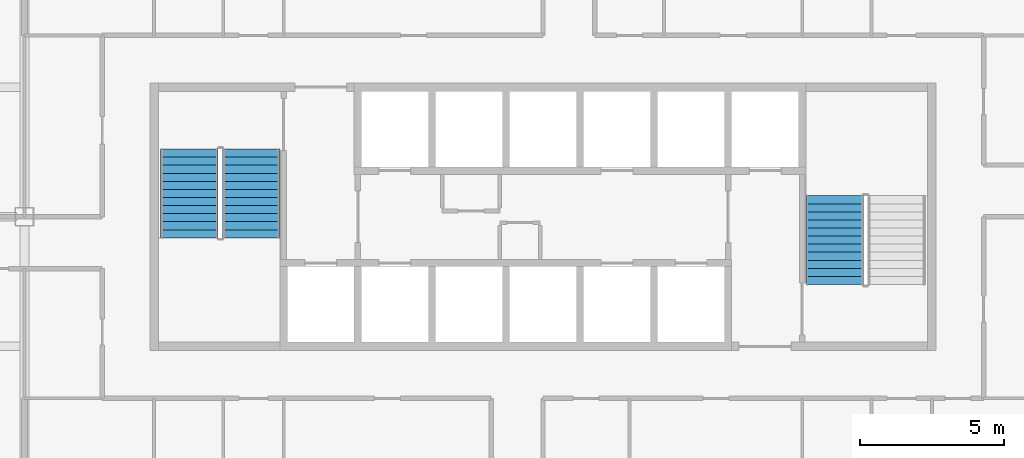
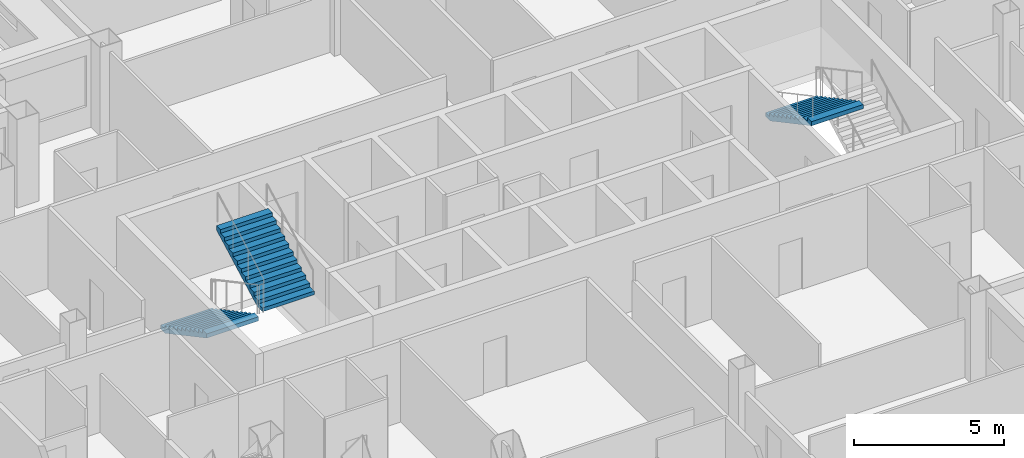
# One storey, part 12 of 16: 3 stair flights, 2 elements without a shape of their own.
"""IFC4 building model written with IfcOpenShell, lengths in metres."""

from ifc_helpers import new_model, si_unit, direction, frame, origin, place, context, subcontext, project, spatial, polygons, material, type_object, element, aggregate, save


model = new_model("IFC4")

# Units and contexts
model_context = context("Model", 3, precision=1e-05, world=origin(), true_north=direction((0.0, 1.0)))
body_context = subcontext(model_context, "Body", "Model", "MODEL_VIEW")
ifc_project = project(units=[si_unit("LENGTHUNIT", "METRE"), si_unit("AREAUNIT", "SQUARE_METRE"), si_unit("VOLUMEUNIT", "CUBIC_METRE"), si_unit("PLANEANGLEUNIT", "RADIAN"), si_unit("MASSUNIT", "GRAM", prefix="KILO")], contexts=[model_context])

# Site, building, storey
site_placement = place(None, origin())
site = spatial("IfcSite", under=ifc_project, at=site_placement, CompositionType="ELEMENT")
building_placement = place(site_placement, origin())
building = spatial("IfcBuilding", under=site, at=building_placement, Name="Caravel Reach Hotel and Residences", CompositionType="ELEMENT")
storey_placement = place(building_placement, frame((0.0, 0.0, 133.199951171875)))
storey = spatial("IfcBuildingStorey", under=building, at=storey_placement, Name="L33", CompositionType="ELEMENT", Elevation=133.199951171875)

# Stair, stair flights
ifc_material_1 = material(Name="Concrete C40", Category="concrete")
stair_type = type_object("IfcStairType", Name="Core stair", PredefinedType="HALF_TURN_STAIR", material=ifc_material_1)
stair_1_placement = place(storey_placement, origin())
stair_1 = element("IfcStair", 1, at=stair_1_placement, inside=storey, type_object=stair_type, Name="L33 Exit stair A", PredefinedType="HALF_TURN_STAIR")
ifc_material_2 = material(Name="Concrete C40", Category="concrete")
stair_flight_type = type_object("IfcStairFlightType", Name="Core stair flight", PredefinedType="STRAIGHT", material=ifc_material_2)
stair_flight_1_placement = place(storey_placement, frame((19.22509765625, 29.35009765625, 0.0), z_axis=(0.0, 0.0, 1.0), x_axis=(0.0, -1.0, 0.0)))
stair_flight_1 = element("IfcStairFlight", 2, at=stair_flight_1_placement, type_object=stair_flight_type, Name="ST-A flight 1", NumberOfRisers=12, NumberOfTreads=11, PredefinedType="STRAIGHT", RiserHeight=0.15, TreadLength=0.28, context=body_context, shape_type="Tessellation", body=[
    polygons([(0.3174408016601862, 1.0, 0.0), (0.3174408016601862, 0.6666666666666667, 0.0), (0.3174408016601862, 0.33333333333333337, 0.0), (0.3174408016601862, 0.0, 0.0), (0.3174408016601862, -0.33333333333333326, 0.0), (0.3174408016601862, -0.6666666666666667, 0.0), (0.3174408016601862, -1.0, 0.0), (3.081, 1.0, 1.479942427682043), (3.081, 0.6666666666666667, 1.479942427682043), (3.081, 0.33333333333333337, 1.479942427682043), (3.081, 0.0, 1.479942427682043), (3.081, -0.33333333333333326, 1.479942427682043), (3.081, -0.6666666666666667, 1.479942427682043), (3.081, -1.0, 1.479942427682043), (3.081, 1.0, 1.65), (3.081, 0.6666666666666667, 1.65), (3.081, 0.33333333333333337, 1.65), (3.081, 0.0, 1.65), (3.081, -0.33333333333333326, 1.65), (3.081, -0.6666666666666667, 1.65), (3.081, -1.0, 1.65), (2.8000000000000003, 1.0, 1.65), (2.8000000000000003, 0.6666666666666667, 1.65), (2.8000000000000003, 0.33333333333333337, 1.65), (2.8000000000000003, 0.0, 1.65), (2.8000000000000003, -0.33333333333333326, 1.65), (2.8000000000000003, -0.6666666666666667, 1.65), (2.8000000000000003, -1.0, 1.65), (2.8000000000000003, 1.0, 1.5), (2.8000000000000003, 0.6666666666666667, 1.5), (2.8000000000000003, 0.33333333333333337, 1.5), (2.8000000000000003, 0.0, 1.5), (2.8000000000000003, -0.33333333333333326, 1.5), (2.8000000000000003, -0.6666666666666667, 1.5), (2.8000000000000003, -1.0, 1.5), (2.5200000000000005, 1.0, 1.5), (2.5200000000000005, 0.6666666666666667, 1.5), (2.5200000000000005, 0.33333333333333337, 1.5), (2.5200000000000005, 0.0, 1.5), (2.5200000000000005, -0.33333333333333326, 1.5), (2.5200000000000005, -0.6666666666666667, 1.5), (2.5200000000000005, -1.0, 1.5), (2.5200000000000005, 1.0, 1.3499999999999999), (2.5200000000000005, 0.6666666666666667, 1.3499999999999999), (2.5200000000000005, 0.33333333333333337, 1.3499999999999999), (2.5200000000000005, 0.0, 1.3499999999999999), (2.5200000000000005, -0.33333333333333326, 1.3499999999999999), (2.5200000000000005, -0.6666666666666667, 1.3499999999999999), (2.5200000000000005, -1.0, 1.3499999999999999), (2.24, 1.0, 1.3499999999999999), (2.24, 0.6666666666666667, 1.3499999999999999), (2.24, 0.33333333333333337, 1.3499999999999999), (2.24, 0.0, 1.3499999999999999), (2.24, -0.33333333333333326, 1.3499999999999999), (2.24, -0.6666666666666667, 1.3499999999999999), (2.24, -1.0, 1.3499999999999999), (2.24, 1.0, 1.2), (2.24, 0.6666666666666667, 1.2), (2.24, 0.33333333333333337, 1.2), (2.24, 0.0, 1.2), (2.24, -0.33333333333333326, 1.2), (2.24, -0.6666666666666667, 1.2), (2.24, -1.0, 1.2), (1.9600000000000002, 1.0, 1.2), (1.9600000000000002, 0.6666666666666667, 1.2), (1.9600000000000002, 0.33333333333333337, 1.2), (1.9600000000000002, 0.0, 1.2), (1.9600000000000002, -0.33333333333333326, 1.2), (1.9600000000000002, -0.6666666666666667, 1.2), (1.9600000000000002, -1.0, 1.2), (1.9600000000000002, 1.0, 1.05), (1.9600000000000002, 0.6666666666666667, 1.05), (1.9600000000000002, 0.33333333333333337, 1.05), (1.9600000000000002, 0.0, 1.05), (1.9600000000000002, -0.33333333333333326, 1.05), (1.9600000000000002, -0.6666666666666667, 1.05), (1.9600000000000002, -1.0, 1.05), (1.6800000000000002, 1.0, 1.05), (1.6800000000000002, 0.6666666666666667, 1.05), (1.6800000000000002, 0.33333333333333337, 1.05), (1.6800000000000002, 0.0, 1.05), (1.6800000000000002, -0.33333333333333326, 1.05), (1.6800000000000002, -0.6666666666666667, 1.05), (1.6800000000000002, -1.0, 1.05), (1.6800000000000002, 1.0, 0.8999999999999999), (1.6800000000000002, 0.6666666666666667, 0.8999999999999999), (1.6800000000000002, 0.33333333333333337, 0.8999999999999999), (1.6800000000000002, 0.0, 0.8999999999999999), (1.6800000000000002, -0.33333333333333326, 0.8999999999999999), (1.6800000000000002, -0.6666666666666667, 0.8999999999999999), (1.6800000000000002, -1.0, 0.8999999999999999), (1.4000000000000001, 1.0, 0.8999999999999999), (1.4000000000000001, 0.6666666666666667, 0.8999999999999999), (1.4000000000000001, 0.33333333333333337, 0.8999999999999999), (1.4000000000000001, 0.0, 0.8999999999999999), (1.4000000000000001, -0.33333333333333326, 0.8999999999999999), (1.4000000000000001, -0.6666666666666667, 0.8999999999999999), (1.4000000000000001, -1.0, 0.8999999999999999), (1.4000000000000001, 1.0, 0.75), (1.4000000000000001, 0.6666666666666667, 0.75), (1.4000000000000001, 0.33333333333333337, 0.75), (1.4000000000000001, 0.0, 0.75), (1.4000000000000001, -0.33333333333333326, 0.75), (1.4000000000000001, -0.6666666666666667, 0.75), (1.4000000000000001, -1.0, 0.75), (1.12, 1.0, 0.75), (1.12, 0.6666666666666667, 0.75), (1.12, 0.33333333333333337, 0.75), (1.12, 0.0, 0.75), (1.12, -0.33333333333333326, 0.75), (1.12, -0.6666666666666667, 0.75), (1.12, -1.0, 0.75), (1.12, 1.0, 0.6), (1.12, 0.6666666666666667, 0.6), (1.12, 0.33333333333333337, 0.6), (1.12, 0.0, 0.6), (1.12, -0.33333333333333326, 0.6), (1.12, -0.6666666666666667, 0.6), (1.12, -1.0, 0.6), (0.8400000000000001, 1.0, 0.6), (0.8400000000000001, 0.6666666666666667, 0.6), (0.8400000000000001, 0.33333333333333337, 0.6), (0.8400000000000001, 0.0, 0.6), (0.8400000000000001, -0.33333333333333326, 0.6), (0.8400000000000001, -0.6666666666666667, 0.6), (0.8400000000000001, -1.0, 0.6), (0.8400000000000001, 1.0, 0.44999999999999996), (0.8400000000000001, 0.6666666666666667, 0.44999999999999996), (0.8400000000000001, 0.33333333333333337, 0.44999999999999996), (0.8400000000000001, 0.0, 0.44999999999999996), (0.8400000000000001, -0.33333333333333326, 0.44999999999999996), (0.8400000000000001, -0.6666666666666667, 0.44999999999999996), (0.8400000000000001, -1.0, 0.44999999999999996), (0.56, 1.0, 0.44999999999999996), (0.56, 0.6666666666666667, 0.44999999999999996), (0.56, 0.33333333333333337, 0.44999999999999996), (0.56, 0.0, 0.44999999999999996), (0.56, -0.33333333333333326, 0.44999999999999996), (0.56, -0.6666666666666667, 0.44999999999999996), (0.56, -1.0, 0.44999999999999996), (0.56, 1.0, 0.3), (0.56, 0.6666666666666667, 0.3), (0.56, 0.33333333333333337, 0.3), (0.56, 0.0, 0.3), (0.56, -0.33333333333333326, 0.3), (0.56, -0.6666666666666667, 0.3), (0.56, -1.0, 0.3), (0.28, 1.0, 0.3), (0.28, 0.6666666666666667, 0.3), (0.28, 0.33333333333333337, 0.3), (0.28, 0.0, 0.3), (0.28, -0.33333333333333326, 0.3), (0.28, -0.6666666666666667, 0.3), (0.28, -1.0, 0.3), (0.28, 1.0, 0.15), (0.28, 0.6666666666666667, 0.15), (0.28, 0.33333333333333337, 0.15), (0.28, 0.0, 0.15), (0.28, -0.33333333333333326, 0.15), (0.28, -0.6666666666666667, 0.15), (0.28, -1.0, 0.15), (-0.001, 1.0, 0.15), (-0.001, 0.6666666666666667, 0.15), (-0.001, 0.33333333333333337, 0.15), (-0.001, 0.0, 0.15), (-0.001, -0.33333333333333326, 0.15), (-0.001, -0.6666666666666667, 0.15), (-0.001, -1.0, 0.15), (-0.001, 1.0, 0.0), (-0.001, 0.6666666666666667, 0.0), (-0.001, 0.33333333333333337, 0.0), (-0.001, 0.0, 0.0), (-0.001, -0.33333333333333326, 0.0), (-0.001, -0.6666666666666667, 0.0), (-0.001, -1.0, 0.0)], [[[169, 162, 155, 148, 141, 134, 127, 120, 113, 106, 99, 92, 85, 78, 71, 64, 57, 50, 43, 36, 29, 22, 15, 8, 1]], [[7, 14, 21, 28, 35, 42, 49, 56, 63, 70, 77, 84, 91, 98, 105, 112, 119, 126, 133, 140, 147, 154, 161, 168, 175]], [[1, 8, 9, 2]], [[2, 9, 10, 3]], [[3, 10, 11, 4]], [[4, 11, 12, 5]], [[5, 12, 13, 6]], [[6, 13, 14, 7]], [[8, 15, 16, 9]], [[9, 16, 17, 10]], [[10, 17, 18, 11]], [[11, 18, 19, 12]], [[12, 19, 20, 13]], [[13, 20, 21, 14]], [[15, 22, 23, 16]], [[16, 23, 24, 17]], [[17, 24, 25, 18]], [[18, 25, 26, 19]], [[19, 26, 27, 20]], [[20, 27, 28, 21]], [[22, 29, 30, 23]], [[23, 30, 31, 24]], [[24, 31, 32, 25]], [[25, 32, 33, 26]], [[26, 33, 34, 27]], [[27, 34, 35, 28]], [[29, 36, 37, 30]], [[30, 37, 38, 31]], [[31, 38, 39, 32]], [[32, 39, 40, 33]], [[33, 40, 41, 34]], [[34, 41, 42, 35]], [[36, 43, 44, 37]], [[37, 44, 45, 38]], [[38, 45, 46, 39]], [[39, 46, 47, 40]], [[40, 47, 48, 41]], [[41, 48, 49, 42]], [[43, 50, 51, 44]], [[44, 51, 52, 45]], [[45, 52, 53, 46]], [[46, 53, 54, 47]], [[47, 54, 55, 48]], [[48, 55, 56, 49]], [[50, 57, 58, 51]], [[51, 58, 59, 52]], [[52, 59, 60, 53]], [[53, 60, 61, 54]], [[54, 61, 62, 55]], [[55, 62, 63, 56]], [[57, 64, 65, 58]], [[58, 65, 66, 59]], [[59, 66, 67, 60]], [[60, 67, 68, 61]], [[61, 68, 69, 62]], [[62, 69, 70, 63]], [[64, 71, 72, 65]], [[65, 72, 73, 66]], [[66, 73, 74, 67]], [[67, 74, 75, 68]], [[68, 75, 76, 69]], [[69, 76, 77, 70]], [[71, 78, 79, 72]], [[72, 79, 80, 73]], [[73, 80, 81, 74]], [[74, 81, 82, 75]], [[75, 82, 83, 76]], [[76, 83, 84, 77]], [[78, 85, 86, 79]], [[79, 86, 87, 80]], [[80, 87, 88, 81]], [[81, 88, 89, 82]], [[82, 89, 90, 83]], [[83, 90, 91, 84]], [[85, 92, 93, 86]], [[86, 93, 94, 87]], [[87, 94, 95, 88]], [[88, 95, 96, 89]], [[89, 96, 97, 90]], [[90, 97, 98, 91]], [[92, 99, 100, 93]], [[93, 100, 101, 94]], [[94, 101, 102, 95]], [[95, 102, 103, 96]], [[96, 103, 104, 97]], [[97, 104, 105, 98]], [[99, 106, 107, 100]], [[100, 107, 108, 101]], [[101, 108, 109, 102]], [[102, 109, 110, 103]], [[103, 110, 111, 104]], [[104, 111, 112, 105]], [[106, 113, 114, 107]], [[107, 114, 115, 108]], [[108, 115, 116, 109]], [[109, 116, 117, 110]], [[110, 117, 118, 111]], [[111, 118, 119, 112]], [[113, 120, 121, 114]], [[114, 121, 122, 115]], [[115, 122, 123, 116]], [[116, 123, 124, 117]], [[117, 124, 125, 118]], [[118, 125, 126, 119]], [[120, 127, 128, 121]], [[121, 128, 129, 122]], [[122, 129, 130, 123]], [[123, 130, 131, 124]], [[124, 131, 132, 125]], [[125, 132, 133, 126]], [[127, 134, 135, 128]], [[128, 135, 136, 129]], [[129, 136, 137, 130]], [[130, 137, 138, 131]], [[131, 138, 139, 132]], [[132, 139, 140, 133]], [[134, 141, 142, 135]], [[135, 142, 143, 136]], [[136, 143, 144, 137]], [[137, 144, 145, 138]], [[138, 145, 146, 139]], [[139, 146, 147, 140]], [[141, 148, 149, 142]], [[142, 149, 150, 143]], [[143, 150, 151, 144]], [[144, 151, 152, 145]], [[145, 152, 153, 146]], [[146, 153, 154, 147]], [[148, 155, 156, 149]], [[149, 156, 157, 150]], [[150, 157, 158, 151]], [[151, 158, 159, 152]], [[152, 159, 160, 153]], [[153, 160, 161, 154]], [[155, 162, 163, 156]], [[156, 163, 164, 157]], [[157, 164, 165, 158]], [[158, 165, 166, 159]], [[159, 166, 167, 160]], [[160, 167, 168, 161]], [[162, 169, 170, 163]], [[163, 170, 171, 164]], [[164, 171, 172, 165]], [[165, 172, 173, 166]], [[166, 173, 174, 167]], [[167, 174, 175, 168]], [[169, 1, 2, 170]], [[170, 2, 3, 171]], [[171, 3, 4, 172]], [[172, 4, 5, 173]], [[173, 5, 6, 174]], [[174, 6, 7, 175]]], closed=True),
])
stair_flight_2_placement = place(storey_placement, frame((21.375, 26.27001953125, 1.800048828125), z_axis=(0.0, 0.0, 1.0), x_axis=(0.0, 1.0, 0.0)))
stair_flight_2 = element("IfcStairFlight", 3, at=stair_flight_2_placement, type_object=stair_flight_type, Name="ST-A flight 2", NumberOfRisers=12, NumberOfTreads=11, PredefinedType="STRAIGHT", RiserHeight=0.15, TreadLength=0.28, context=body_context, shape_type="Tessellation", body=[
    polygons([(0.3174408016601862, 1.0, 0.0), (0.3174408016601862, 0.6666666666666667, 0.0), (0.3174408016601862, 0.33333333333333337, 0.0), (0.3174408016601862, 0.0, 0.0), (0.3174408016601862, -0.33333333333333326, 0.0), (0.3174408016601862, -0.6666666666666667, 0.0), (0.3174408016601862, -1.0, 0.0), (3.081, 1.0, 1.479942427682043), (3.081, 0.6666666666666667, 1.479942427682043), (3.081, 0.33333333333333337, 1.479942427682043), (3.081, 0.0, 1.479942427682043), (3.081, -0.33333333333333326, 1.479942427682043), (3.081, -0.6666666666666667, 1.479942427682043), (3.081, -1.0, 1.479942427682043), (3.081, 1.0, 1.65), (3.081, 0.6666666666666667, 1.65), (3.081, 0.33333333333333337, 1.65), (3.081, 0.0, 1.65), (3.081, -0.33333333333333326, 1.65), (3.081, -0.6666666666666667, 1.65), (3.081, -1.0, 1.65), (2.8000000000000003, 1.0, 1.65), (2.8000000000000003, 0.6666666666666667, 1.65), (2.8000000000000003, 0.33333333333333337, 1.65), (2.8000000000000003, 0.0, 1.65), (2.8000000000000003, -0.33333333333333326, 1.65), (2.8000000000000003, -0.6666666666666667, 1.65), (2.8000000000000003, -1.0, 1.65), (2.8000000000000003, 1.0, 1.5), (2.8000000000000003, 0.6666666666666667, 1.5), (2.8000000000000003, 0.33333333333333337, 1.5), (2.8000000000000003, 0.0, 1.5), (2.8000000000000003, -0.33333333333333326, 1.5), (2.8000000000000003, -0.6666666666666667, 1.5), (2.8000000000000003, -1.0, 1.5), (2.5200000000000005, 1.0, 1.5), (2.5200000000000005, 0.6666666666666667, 1.5), (2.5200000000000005, 0.33333333333333337, 1.5), (2.5200000000000005, 0.0, 1.5), (2.5200000000000005, -0.33333333333333326, 1.5), (2.5200000000000005, -0.6666666666666667, 1.5), (2.5200000000000005, -1.0, 1.5), (2.5200000000000005, 1.0, 1.3499999999999999), (2.5200000000000005, 0.6666666666666667, 1.3499999999999999), (2.5200000000000005, 0.33333333333333337, 1.3499999999999999), (2.5200000000000005, 0.0, 1.3499999999999999), (2.5200000000000005, -0.33333333333333326, 1.3499999999999999), (2.5200000000000005, -0.6666666666666667, 1.3499999999999999), (2.5200000000000005, -1.0, 1.3499999999999999), (2.24, 1.0, 1.3499999999999999), (2.24, 0.6666666666666667, 1.3499999999999999), (2.24, 0.33333333333333337, 1.3499999999999999), (2.24, 0.0, 1.3499999999999999), (2.24, -0.33333333333333326, 1.3499999999999999), (2.24, -0.6666666666666667, 1.3499999999999999), (2.24, -1.0, 1.3499999999999999), (2.24, 1.0, 1.2), (2.24, 0.6666666666666667, 1.2), (2.24, 0.33333333333333337, 1.2), (2.24, 0.0, 1.2), (2.24, -0.33333333333333326, 1.2), (2.24, -0.6666666666666667, 1.2), (2.24, -1.0, 1.2), (1.9600000000000002, 1.0, 1.2), (1.9600000000000002, 0.6666666666666667, 1.2), (1.9600000000000002, 0.33333333333333337, 1.2), (1.9600000000000002, 0.0, 1.2), (1.9600000000000002, -0.33333333333333326, 1.2), (1.9600000000000002, -0.6666666666666667, 1.2), (1.9600000000000002, -1.0, 1.2), (1.9600000000000002, 1.0, 1.05), (1.9600000000000002, 0.6666666666666667, 1.05), (1.9600000000000002, 0.33333333333333337, 1.05), (1.9600000000000002, 0.0, 1.05), (1.9600000000000002, -0.33333333333333326, 1.05), (1.9600000000000002, -0.6666666666666667, 1.05), (1.9600000000000002, -1.0, 1.05), (1.6800000000000002, 1.0, 1.05), (1.6800000000000002, 0.6666666666666667, 1.05), (1.6800000000000002, 0.33333333333333337, 1.05), (1.6800000000000002, 0.0, 1.05), (1.6800000000000002, -0.33333333333333326, 1.05), (1.6800000000000002, -0.6666666666666667, 1.05), (1.6800000000000002, -1.0, 1.05), (1.6800000000000002, 1.0, 0.8999999999999999), (1.6800000000000002, 0.6666666666666667, 0.8999999999999999), (1.6800000000000002, 0.33333333333333337, 0.8999999999999999), (1.6800000000000002, 0.0, 0.8999999999999999), (1.6800000000000002, -0.33333333333333326, 0.8999999999999999), (1.6800000000000002, -0.6666666666666667, 0.8999999999999999), (1.6800000000000002, -1.0, 0.8999999999999999), (1.4000000000000001, 1.0, 0.8999999999999999), (1.4000000000000001, 0.6666666666666667, 0.8999999999999999), (1.4000000000000001, 0.33333333333333337, 0.8999999999999999), (1.4000000000000001, 0.0, 0.8999999999999999), (1.4000000000000001, -0.33333333333333326, 0.8999999999999999), (1.4000000000000001, -0.6666666666666667, 0.8999999999999999), (1.4000000000000001, -1.0, 0.8999999999999999), (1.4000000000000001, 1.0, 0.75), (1.4000000000000001, 0.6666666666666667, 0.75), (1.4000000000000001, 0.33333333333333337, 0.75), (1.4000000000000001, 0.0, 0.75), (1.4000000000000001, -0.33333333333333326, 0.75), (1.4000000000000001, -0.6666666666666667, 0.75), (1.4000000000000001, -1.0, 0.75), (1.12, 1.0, 0.75), (1.12, 0.6666666666666667, 0.75), (1.12, 0.33333333333333337, 0.75), (1.12, 0.0, 0.75), (1.12, -0.33333333333333326, 0.75), (1.12, -0.6666666666666667, 0.75), (1.12, -1.0, 0.75), (1.12, 1.0, 0.6), (1.12, 0.6666666666666667, 0.6), (1.12, 0.33333333333333337, 0.6), (1.12, 0.0, 0.6), (1.12, -0.33333333333333326, 0.6), (1.12, -0.6666666666666667, 0.6), (1.12, -1.0, 0.6), (0.8400000000000001, 1.0, 0.6), (0.8400000000000001, 0.6666666666666667, 0.6), (0.8400000000000001, 0.33333333333333337, 0.6), (0.8400000000000001, 0.0, 0.6), (0.8400000000000001, -0.33333333333333326, 0.6), (0.8400000000000001, -0.6666666666666667, 0.6), (0.8400000000000001, -1.0, 0.6), (0.8400000000000001, 1.0, 0.44999999999999996), (0.8400000000000001, 0.6666666666666667, 0.44999999999999996), (0.8400000000000001, 0.33333333333333337, 0.44999999999999996), (0.8400000000000001, 0.0, 0.44999999999999996), (0.8400000000000001, -0.33333333333333326, 0.44999999999999996), (0.8400000000000001, -0.6666666666666667, 0.44999999999999996), (0.8400000000000001, -1.0, 0.44999999999999996), (0.56, 1.0, 0.44999999999999996), (0.56, 0.6666666666666667, 0.44999999999999996), (0.56, 0.33333333333333337, 0.44999999999999996), (0.56, 0.0, 0.44999999999999996), (0.56, -0.33333333333333326, 0.44999999999999996), (0.56, -0.6666666666666667, 0.44999999999999996), (0.56, -1.0, 0.44999999999999996), (0.56, 1.0, 0.3), (0.56, 0.6666666666666667, 0.3), (0.56, 0.33333333333333337, 0.3), (0.56, 0.0, 0.3), (0.56, -0.33333333333333326, 0.3), (0.56, -0.6666666666666667, 0.3), (0.56, -1.0, 0.3), (0.28, 1.0, 0.3), (0.28, 0.6666666666666667, 0.3), (0.28, 0.33333333333333337, 0.3), (0.28, 0.0, 0.3), (0.28, -0.33333333333333326, 0.3), (0.28, -0.6666666666666667, 0.3), (0.28, -1.0, 0.3), (0.28, 1.0, 0.15), (0.28, 0.6666666666666667, 0.15), (0.28, 0.33333333333333337, 0.15), (0.28, 0.0, 0.15), (0.28, -0.33333333333333326, 0.15), (0.28, -0.6666666666666667, 0.15), (0.28, -1.0, 0.15), (-0.001, 1.0, 0.15), (-0.001, 0.6666666666666667, 0.15), (-0.001, 0.33333333333333337, 0.15), (-0.001, 0.0, 0.15), (-0.001, -0.33333333333333326, 0.15), (-0.001, -0.6666666666666667, 0.15), (-0.001, -1.0, 0.15), (-0.001, 1.0, 0.0), (-0.001, 0.6666666666666667, 0.0), (-0.001, 0.33333333333333337, 0.0), (-0.001, 0.0, 0.0), (-0.001, -0.33333333333333326, 0.0), (-0.001, -0.6666666666666667, 0.0), (-0.001, -1.0, 0.0)], [[[169, 162, 155, 148, 141, 134, 127, 120, 113, 106, 99, 92, 85, 78, 71, 64, 57, 50, 43, 36, 29, 22, 15, 8, 1]], [[7, 14, 21, 28, 35, 42, 49, 56, 63, 70, 77, 84, 91, 98, 105, 112, 119, 126, 133, 140, 147, 154, 161, 168, 175]], [[1, 8, 9, 2]], [[2, 9, 10, 3]], [[3, 10, 11, 4]], [[4, 11, 12, 5]], [[5, 12, 13, 6]], [[6, 13, 14, 7]], [[8, 15, 16, 9]], [[9, 16, 17, 10]], [[10, 17, 18, 11]], [[11, 18, 19, 12]], [[12, 19, 20, 13]], [[13, 20, 21, 14]], [[15, 22, 23, 16]], [[16, 23, 24, 17]], [[17, 24, 25, 18]], [[18, 25, 26, 19]], [[19, 26, 27, 20]], [[20, 27, 28, 21]], [[22, 29, 30, 23]], [[23, 30, 31, 24]], [[24, 31, 32, 25]], [[25, 32, 33, 26]], [[26, 33, 34, 27]], [[27, 34, 35, 28]], [[29, 36, 37, 30]], [[30, 37, 38, 31]], [[31, 38, 39, 32]], [[32, 39, 40, 33]], [[33, 40, 41, 34]], [[34, 41, 42, 35]], [[36, 43, 44, 37]], [[37, 44, 45, 38]], [[38, 45, 46, 39]], [[39, 46, 47, 40]], [[40, 47, 48, 41]], [[41, 48, 49, 42]], [[43, 50, 51, 44]], [[44, 51, 52, 45]], [[45, 52, 53, 46]], [[46, 53, 54, 47]], [[47, 54, 55, 48]], [[48, 55, 56, 49]], [[50, 57, 58, 51]], [[51, 58, 59, 52]], [[52, 59, 60, 53]], [[53, 60, 61, 54]], [[54, 61, 62, 55]], [[55, 62, 63, 56]], [[57, 64, 65, 58]], [[58, 65, 66, 59]], [[59, 66, 67, 60]], [[60, 67, 68, 61]], [[61, 68, 69, 62]], [[62, 69, 70, 63]], [[64, 71, 72, 65]], [[65, 72, 73, 66]], [[66, 73, 74, 67]], [[67, 74, 75, 68]], [[68, 75, 76, 69]], [[69, 76, 77, 70]], [[71, 78, 79, 72]], [[72, 79, 80, 73]], [[73, 80, 81, 74]], [[74, 81, 82, 75]], [[75, 82, 83, 76]], [[76, 83, 84, 77]], [[78, 85, 86, 79]], [[79, 86, 87, 80]], [[80, 87, 88, 81]], [[81, 88, 89, 82]], [[82, 89, 90, 83]], [[83, 90, 91, 84]], [[85, 92, 93, 86]], [[86, 93, 94, 87]], [[87, 94, 95, 88]], [[88, 95, 96, 89]], [[89, 96, 97, 90]], [[90, 97, 98, 91]], [[92, 99, 100, 93]], [[93, 100, 101, 94]], [[94, 101, 102, 95]], [[95, 102, 103, 96]], [[96, 103, 104, 97]], [[97, 104, 105, 98]], [[99, 106, 107, 100]], [[100, 107, 108, 101]], [[101, 108, 109, 102]], [[102, 109, 110, 103]], [[103, 110, 111, 104]], [[104, 111, 112, 105]], [[106, 113, 114, 107]], [[107, 114, 115, 108]], [[108, 115, 116, 109]], [[109, 116, 117, 110]], [[110, 117, 118, 111]], [[111, 118, 119, 112]], [[113, 120, 121, 114]], [[114, 121, 122, 115]], [[115, 122, 123, 116]], [[116, 123, 124, 117]], [[117, 124, 125, 118]], [[118, 125, 126, 119]], [[120, 127, 128, 121]], [[121, 128, 129, 122]], [[122, 129, 130, 123]], [[123, 130, 131, 124]], [[124, 131, 132, 125]], [[125, 132, 133, 126]], [[127, 134, 135, 128]], [[128, 135, 136, 129]], [[129, 136, 137, 130]], [[130, 137, 138, 131]], [[131, 138, 139, 132]], [[132, 139, 140, 133]], [[134, 141, 142, 135]], [[135, 142, 143, 136]], [[136, 143, 144, 137]], [[137, 144, 145, 138]], [[138, 145, 146, 139]], [[139, 146, 147, 140]], [[141, 148, 149, 142]], [[142, 149, 150, 143]], [[143, 150, 151, 144]], [[144, 151, 152, 145]], [[145, 152, 153, 146]], [[146, 153, 154, 147]], [[148, 155, 156, 149]], [[149, 156, 157, 150]], [[150, 157, 158, 151]], [[151, 158, 159, 152]], [[152, 159, 160, 153]], [[153, 160, 161, 154]], [[155, 162, 163, 156]], [[156, 163, 164, 157]], [[157, 164, 165, 158]], [[158, 165, 166, 159]], [[159, 166, 167, 160]], [[160, 167, 168, 161]], [[162, 169, 170, 163]], [[163, 170, 171, 164]], [[164, 171, 172, 165]], [[165, 172, 173, 166]], [[166, 173, 174, 167]], [[167, 174, 175, 168]], [[169, 1, 2, 170]], [[170, 2, 3, 171]], [[171, 3, 4, 172]], [[172, 4, 5, 173]], [[173, 5, 6, 174]], [[174, 6, 7, 175]]], closed=True),
])
aggregate(stair_1, [stair_flight_1, stair_flight_2])

# Stair, stair flight
stair_2_placement = place(storey_placement, origin())
stair_2 = element("IfcStair", 4, at=stair_2_placement, inside=storey, type_object=stair_type, Name="L33 Exit stair B", PredefinedType="HALF_TURN_STAIR")
stair_flight_3_placement = place(storey_placement, frame((41.625, 27.72998046875, 1.800048828125), z_axis=(0.0, 0.0, 1.0), x_axis=(0.0, -1.0, 0.0)))
stair_flight_3 = element("IfcStairFlight", 5, at=stair_flight_3_placement, type_object=stair_flight_type, Name="ST-B flight 2", NumberOfRisers=12, NumberOfTreads=11, PredefinedType="STRAIGHT", RiserHeight=0.15, TreadLength=0.28, context=body_context, shape_type="Tessellation", body=[
    polygons([(0.3174408016601862, 1.0, 0.0), (0.3174408016601862, 0.6666666666666667, 0.0), (0.3174408016601862, 0.33333333333333337, 0.0), (0.3174408016601862, 0.0, 0.0), (0.3174408016601862, -0.33333333333333326, 0.0), (0.3174408016601862, -0.6666666666666667, 0.0), (0.3174408016601862, -1.0, 0.0), (3.081, 1.0, 1.479942427682043), (3.081, 0.6666666666666667, 1.479942427682043), (3.081, 0.33333333333333337, 1.479942427682043), (3.081, 0.0, 1.479942427682043), (3.081, -0.33333333333333326, 1.479942427682043), (3.081, -0.6666666666666667, 1.479942427682043), (3.081, -1.0, 1.479942427682043), (3.081, 1.0, 1.65), (3.081, 0.6666666666666667, 1.65), (3.081, 0.33333333333333337, 1.65), (3.081, 0.0, 1.65), (3.081, -0.33333333333333326, 1.65), (3.081, -0.6666666666666667, 1.65), (3.081, -1.0, 1.65), (2.8000000000000003, 1.0, 1.65), (2.8000000000000003, 0.6666666666666667, 1.65), (2.8000000000000003, 0.33333333333333337, 1.65), (2.8000000000000003, 0.0, 1.65), (2.8000000000000003, -0.33333333333333326, 1.65), (2.8000000000000003, -0.6666666666666667, 1.65), (2.8000000000000003, -1.0, 1.65), (2.8000000000000003, 1.0, 1.5), (2.8000000000000003, 0.6666666666666667, 1.5), (2.8000000000000003, 0.33333333333333337, 1.5), (2.8000000000000003, 0.0, 1.5), (2.8000000000000003, -0.33333333333333326, 1.5), (2.8000000000000003, -0.6666666666666667, 1.5), (2.8000000000000003, -1.0, 1.5), (2.5200000000000005, 1.0, 1.5), (2.5200000000000005, 0.6666666666666667, 1.5), (2.5200000000000005, 0.33333333333333337, 1.5), (2.5200000000000005, 0.0, 1.5), (2.5200000000000005, -0.33333333333333326, 1.5), (2.5200000000000005, -0.6666666666666667, 1.5), (2.5200000000000005, -1.0, 1.5), (2.5200000000000005, 1.0, 1.3499999999999999), (2.5200000000000005, 0.6666666666666667, 1.3499999999999999), (2.5200000000000005, 0.33333333333333337, 1.3499999999999999), (2.5200000000000005, 0.0, 1.3499999999999999), (2.5200000000000005, -0.33333333333333326, 1.3499999999999999), (2.5200000000000005, -0.6666666666666667, 1.3499999999999999), (2.5200000000000005, -1.0, 1.3499999999999999), (2.24, 1.0, 1.3499999999999999), (2.24, 0.6666666666666667, 1.3499999999999999), (2.24, 0.33333333333333337, 1.3499999999999999), (2.24, 0.0, 1.3499999999999999), (2.24, -0.33333333333333326, 1.3499999999999999), (2.24, -0.6666666666666667, 1.3499999999999999), (2.24, -1.0, 1.3499999999999999), (2.24, 1.0, 1.2), (2.24, 0.6666666666666667, 1.2), (2.24, 0.33333333333333337, 1.2), (2.24, 0.0, 1.2), (2.24, -0.33333333333333326, 1.2), (2.24, -0.6666666666666667, 1.2), (2.24, -1.0, 1.2), (1.9600000000000002, 1.0, 1.2), (1.9600000000000002, 0.6666666666666667, 1.2), (1.9600000000000002, 0.33333333333333337, 1.2), (1.9600000000000002, 0.0, 1.2), (1.9600000000000002, -0.33333333333333326, 1.2), (1.9600000000000002, -0.6666666666666667, 1.2), (1.9600000000000002, -1.0, 1.2), (1.9600000000000002, 1.0, 1.05), (1.9600000000000002, 0.6666666666666667, 1.05), (1.9600000000000002, 0.33333333333333337, 1.05), (1.9600000000000002, 0.0, 1.05), (1.9600000000000002, -0.33333333333333326, 1.05), (1.9600000000000002, -0.6666666666666667, 1.05), (1.9600000000000002, -1.0, 1.05), (1.6800000000000002, 1.0, 1.05), (1.6800000000000002, 0.6666666666666667, 1.05), (1.6800000000000002, 0.33333333333333337, 1.05), (1.6800000000000002, 0.0, 1.05), (1.6800000000000002, -0.33333333333333326, 1.05), (1.6800000000000002, -0.6666666666666667, 1.05), (1.6800000000000002, -1.0, 1.05), (1.6800000000000002, 1.0, 0.8999999999999999), (1.6800000000000002, 0.6666666666666667, 0.8999999999999999), (1.6800000000000002, 0.33333333333333337, 0.8999999999999999), (1.6800000000000002, 0.0, 0.8999999999999999), (1.6800000000000002, -0.33333333333333326, 0.8999999999999999), (1.6800000000000002, -0.6666666666666667, 0.8999999999999999), (1.6800000000000002, -1.0, 0.8999999999999999), (1.4000000000000001, 1.0, 0.8999999999999999), (1.4000000000000001, 0.6666666666666667, 0.8999999999999999), (1.4000000000000001, 0.33333333333333337, 0.8999999999999999), (1.4000000000000001, 0.0, 0.8999999999999999), (1.4000000000000001, -0.33333333333333326, 0.8999999999999999), (1.4000000000000001, -0.6666666666666667, 0.8999999999999999), (1.4000000000000001, -1.0, 0.8999999999999999), (1.4000000000000001, 1.0, 0.75), (1.4000000000000001, 0.6666666666666667, 0.75), (1.4000000000000001, 0.33333333333333337, 0.75), (1.4000000000000001, 0.0, 0.75), (1.4000000000000001, -0.33333333333333326, 0.75), (1.4000000000000001, -0.6666666666666667, 0.75), (1.4000000000000001, -1.0, 0.75), (1.12, 1.0, 0.75), (1.12, 0.6666666666666667, 0.75), (1.12, 0.33333333333333337, 0.75), (1.12, 0.0, 0.75), (1.12, -0.33333333333333326, 0.75), (1.12, -0.6666666666666667, 0.75), (1.12, -1.0, 0.75), (1.12, 1.0, 0.6), (1.12, 0.6666666666666667, 0.6), (1.12, 0.33333333333333337, 0.6), (1.12, 0.0, 0.6), (1.12, -0.33333333333333326, 0.6), (1.12, -0.6666666666666667, 0.6), (1.12, -1.0, 0.6), (0.8400000000000001, 1.0, 0.6), (0.8400000000000001, 0.6666666666666667, 0.6), (0.8400000000000001, 0.33333333333333337, 0.6), (0.8400000000000001, 0.0, 0.6), (0.8400000000000001, -0.33333333333333326, 0.6), (0.8400000000000001, -0.6666666666666667, 0.6), (0.8400000000000001, -1.0, 0.6), (0.8400000000000001, 1.0, 0.44999999999999996), (0.8400000000000001, 0.6666666666666667, 0.44999999999999996), (0.8400000000000001, 0.33333333333333337, 0.44999999999999996), (0.8400000000000001, 0.0, 0.44999999999999996), (0.8400000000000001, -0.33333333333333326, 0.44999999999999996), (0.8400000000000001, -0.6666666666666667, 0.44999999999999996), (0.8400000000000001, -1.0, 0.44999999999999996), (0.56, 1.0, 0.44999999999999996), (0.56, 0.6666666666666667, 0.44999999999999996), (0.56, 0.33333333333333337, 0.44999999999999996), (0.56, 0.0, 0.44999999999999996), (0.56, -0.33333333333333326, 0.44999999999999996), (0.56, -0.6666666666666667, 0.44999999999999996), (0.56, -1.0, 0.44999999999999996), (0.56, 1.0, 0.3), (0.56, 0.6666666666666667, 0.3), (0.56, 0.33333333333333337, 0.3), (0.56, 0.0, 0.3), (0.56, -0.33333333333333326, 0.3), (0.56, -0.6666666666666667, 0.3), (0.56, -1.0, 0.3), (0.28, 1.0, 0.3), (0.28, 0.6666666666666667, 0.3), (0.28, 0.33333333333333337, 0.3), (0.28, 0.0, 0.3), (0.28, -0.33333333333333326, 0.3), (0.28, -0.6666666666666667, 0.3), (0.28, -1.0, 0.3), (0.28, 1.0, 0.15), (0.28, 0.6666666666666667, 0.15), (0.28, 0.33333333333333337, 0.15), (0.28, 0.0, 0.15), (0.28, -0.33333333333333326, 0.15), (0.28, -0.6666666666666667, 0.15), (0.28, -1.0, 0.15), (-0.001, 1.0, 0.15), (-0.001, 0.6666666666666667, 0.15), (-0.001, 0.33333333333333337, 0.15), (-0.001, 0.0, 0.15), (-0.001, -0.33333333333333326, 0.15), (-0.001, -0.6666666666666667, 0.15), (-0.001, -1.0, 0.15), (-0.001, 1.0, 0.0), (-0.001, 0.6666666666666667, 0.0), (-0.001, 0.33333333333333337, 0.0), (-0.001, 0.0, 0.0), (-0.001, -0.33333333333333326, 0.0), (-0.001, -0.6666666666666667, 0.0), (-0.001, -1.0, 0.0)], [[[169, 162, 155, 148, 141, 134, 127, 120, 113, 106, 99, 92, 85, 78, 71, 64, 57, 50, 43, 36, 29, 22, 15, 8, 1]], [[7, 14, 21, 28, 35, 42, 49, 56, 63, 70, 77, 84, 91, 98, 105, 112, 119, 126, 133, 140, 147, 154, 161, 168, 175]], [[1, 8, 9, 2]], [[2, 9, 10, 3]], [[3, 10, 11, 4]], [[4, 11, 12, 5]], [[5, 12, 13, 6]], [[6, 13, 14, 7]], [[8, 15, 16, 9]], [[9, 16, 17, 10]], [[10, 17, 18, 11]], [[11, 18, 19, 12]], [[12, 19, 20, 13]], [[13, 20, 21, 14]], [[15, 22, 23, 16]], [[16, 23, 24, 17]], [[17, 24, 25, 18]], [[18, 25, 26, 19]], [[19, 26, 27, 20]], [[20, 27, 28, 21]], [[22, 29, 30, 23]], [[23, 30, 31, 24]], [[24, 31, 32, 25]], [[25, 32, 33, 26]], [[26, 33, 34, 27]], [[27, 34, 35, 28]], [[29, 36, 37, 30]], [[30, 37, 38, 31]], [[31, 38, 39, 32]], [[32, 39, 40, 33]], [[33, 40, 41, 34]], [[34, 41, 42, 35]], [[36, 43, 44, 37]], [[37, 44, 45, 38]], [[38, 45, 46, 39]], [[39, 46, 47, 40]], [[40, 47, 48, 41]], [[41, 48, 49, 42]], [[43, 50, 51, 44]], [[44, 51, 52, 45]], [[45, 52, 53, 46]], [[46, 53, 54, 47]], [[47, 54, 55, 48]], [[48, 55, 56, 49]], [[50, 57, 58, 51]], [[51, 58, 59, 52]], [[52, 59, 60, 53]], [[53, 60, 61, 54]], [[54, 61, 62, 55]], [[55, 62, 63, 56]], [[57, 64, 65, 58]], [[58, 65, 66, 59]], [[59, 66, 67, 60]], [[60, 67, 68, 61]], [[61, 68, 69, 62]], [[62, 69, 70, 63]], [[64, 71, 72, 65]], [[65, 72, 73, 66]], [[66, 73, 74, 67]], [[67, 74, 75, 68]], [[68, 75, 76, 69]], [[69, 76, 77, 70]], [[71, 78, 79, 72]], [[72, 79, 80, 73]], [[73, 80, 81, 74]], [[74, 81, 82, 75]], [[75, 82, 83, 76]], [[76, 83, 84, 77]], [[78, 85, 86, 79]], [[79, 86, 87, 80]], [[80, 87, 88, 81]], [[81, 88, 89, 82]], [[82, 89, 90, 83]], [[83, 90, 91, 84]], [[85, 92, 93, 86]], [[86, 93, 94, 87]], [[87, 94, 95, 88]], [[88, 95, 96, 89]], [[89, 96, 97, 90]], [[90, 97, 98, 91]], [[92, 99, 100, 93]], [[93, 100, 101, 94]], [[94, 101, 102, 95]], [[95, 102, 103, 96]], [[96, 103, 104, 97]], [[97, 104, 105, 98]], [[99, 106, 107, 100]], [[100, 107, 108, 101]], [[101, 108, 109, 102]], [[102, 109, 110, 103]], [[103, 110, 111, 104]], [[104, 111, 112, 105]], [[106, 113, 114, 107]], [[107, 114, 115, 108]], [[108, 115, 116, 109]], [[109, 116, 117, 110]], [[110, 117, 118, 111]], [[111, 118, 119, 112]], [[113, 120, 121, 114]], [[114, 121, 122, 115]], [[115, 122, 123, 116]], [[116, 123, 124, 117]], [[117, 124, 125, 118]], [[118, 125, 126, 119]], [[120, 127, 128, 121]], [[121, 128, 129, 122]], [[122, 129, 130, 123]], [[123, 130, 131, 124]], [[124, 131, 132, 125]], [[125, 132, 133, 126]], [[127, 134, 135, 128]], [[128, 135, 136, 129]], [[129, 136, 137, 130]], [[130, 137, 138, 131]], [[131, 138, 139, 132]], [[132, 139, 140, 133]], [[134, 141, 142, 135]], [[135, 142, 143, 136]], [[136, 143, 144, 137]], [[137, 144, 145, 138]], [[138, 145, 146, 139]], [[139, 146, 147, 140]], [[141, 148, 149, 142]], [[142, 149, 150, 143]], [[143, 150, 151, 144]], [[144, 151, 152, 145]], [[145, 152, 153, 146]], [[146, 153, 154, 147]], [[148, 155, 156, 149]], [[149, 156, 157, 150]], [[150, 157, 158, 151]], [[151, 158, 159, 152]], [[152, 159, 160, 153]], [[153, 160, 161, 154]], [[155, 162, 163, 156]], [[156, 163, 164, 157]], [[157, 164, 165, 158]], [[158, 165, 166, 159]], [[159, 166, 167, 160]], [[160, 167, 168, 161]], [[162, 169, 170, 163]], [[163, 170, 171, 164]], [[164, 171, 172, 165]], [[165, 172, 173, 166]], [[166, 173, 174, 167]], [[167, 174, 175, 168]], [[169, 1, 2, 170]], [[170, 2, 3, 171]], [[171, 3, 4, 172]], [[172, 4, 5, 173]], [[173, 5, 6, 174]], [[174, 6, 7, 175]]], closed=True),
])
aggregate(stair_2, [stair_flight_3])

save(model, "model.ifc")
